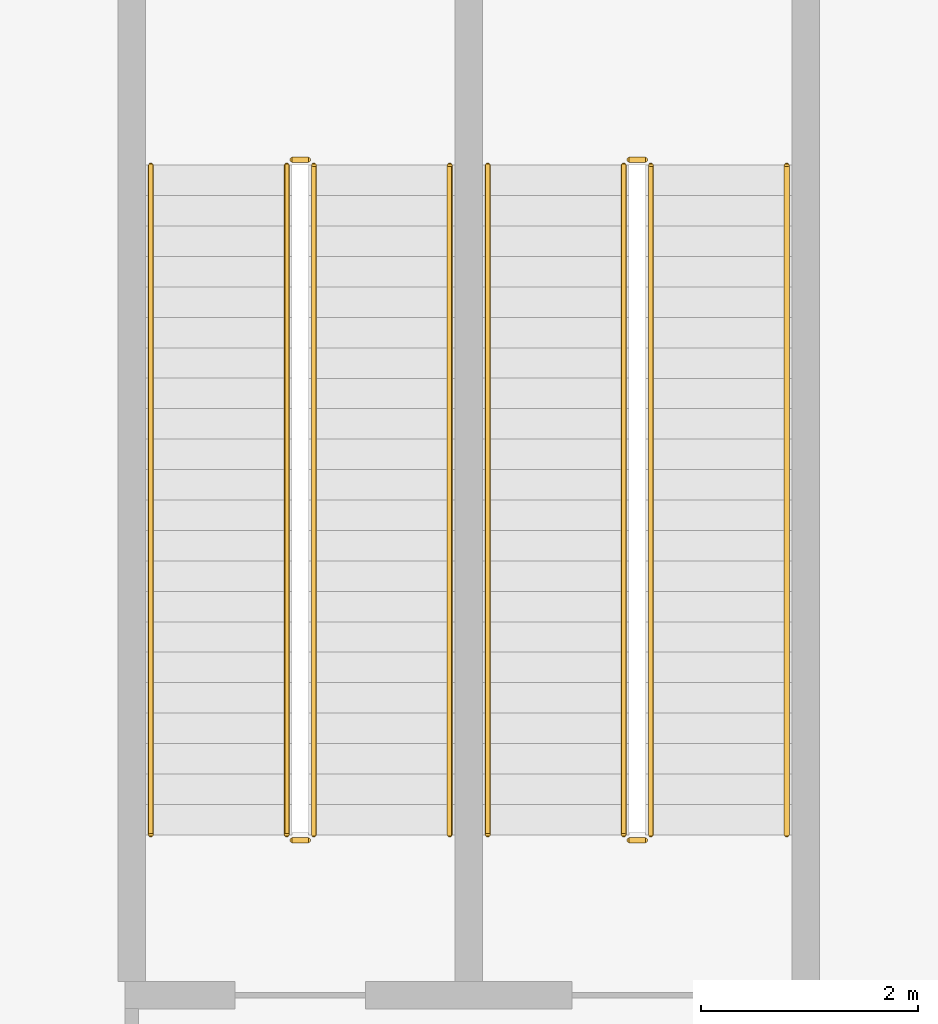
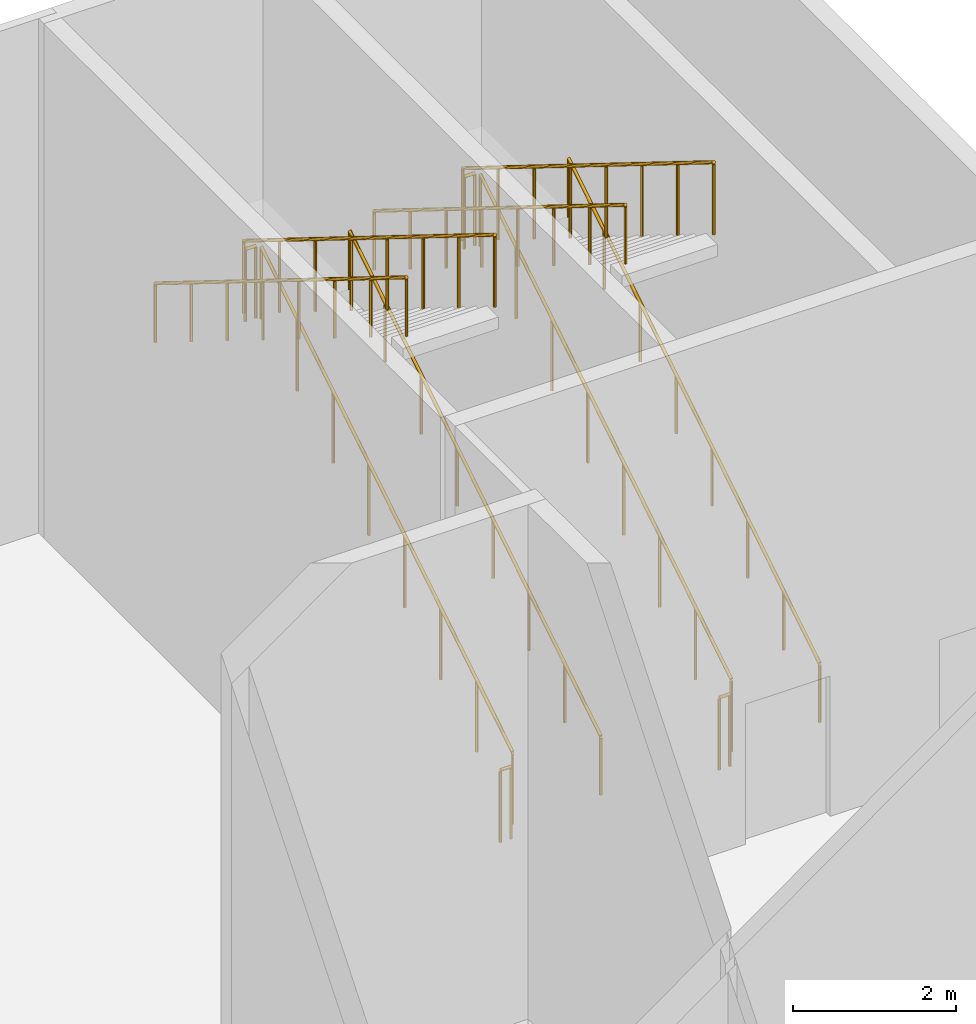
# One storey, part 52 of 52: 12 railings.
"""IFC4 building model written with IfcOpenShell, lengths in metres."""

import ifcopenshell
import ifcopenshell.guid

model = None  # the IFC model being written
_history = None  # IfcOwnerHistory: only IFC2X3 demands one
_inside = {}  # id of a spatial element -> (the spatial element, [elements in it])
_under = {}  # id of a project, library or spatial element -> (it, [spatial elements below it])
_declared = {}  # id of a project -> (the project, [libraries it declares])
_typed = {}  # id of a type object -> (the type object, [elements of that type])
_made_of = {}  # id of a material, layer set ... -> (it, [elements and type objects made of it])


def new_model(schema):
    """Start an empty IFC model of exactly this schema.

    Asked for "IFC4X3", IfcOpenShell would pick the latest addendum, in which some entities
    have other attributes; the version numbers below select the first issue.
    IFC2X3 requires an IfcOwnerHistory on every rooted entity: one is made here for all.
    """
    global model, _history
    if schema == "IFC4X3":
        model = ifcopenshell.file(schema_version=(4, 3, 0, 0))
    else:
        model = ifcopenshell.file(schema=schema)
    _inside.clear()
    _under.clear()
    _declared.clear()
    _typed.clear()
    _made_of.clear()
    _history = None
    if model.schema == "IFC2X3":
        org = make("IfcOrganization", Name="unknown")
        user = make(
            "IfcPersonAndOrganization",
            ThePerson=make("IfcPerson", FamilyName="unknown"),
            TheOrganization=org,
        )
        app = make(
            "IfcApplication",
            ApplicationDeveloper=org,
            Version="unknown",
            ApplicationFullName="unknown",
            ApplicationIdentifier="unknown",
        )
        _history = make(
            "IfcOwnerHistory",
            OwningUser=user,
            OwningApplication=app,
            ChangeAction="ADDED",
            CreationDate=0,
        )
    return model


def make(cls, **values):
    """One entity of the class cls with the attributes given. An attribute that is None is left unset."""
    return model.create_entity(
        cls, **{name: value for name, value in values.items() if value is not None}
    )


def rooted(cls, **values):
    """An entity with a GlobalId (a new one), such as an element, a storey or a relation."""
    return make(cls, GlobalId=ifcopenshell.guid.new(), OwnerHistory=_history, **values)


def si_unit(unit_type, name, prefix=None):
    """IfcSIUnit, for example si_unit("LENGTHUNIT", "METRE", prefix="MILLI")."""
    return make("IfcSIUnit", UnitType=unit_type, Prefix=prefix, Name=name)


def assignment(units):
    """IfcUnitAssignment: the units of a project."""
    return None if units is None else make("IfcUnitAssignment", Units=units)


def point(xyz):
    """IfcCartesianPoint."""
    return None if xyz is None else make("IfcCartesianPoint", Coordinates=xyz)


def direction(xyz):
    """IfcDirection."""
    return None if xyz is None else make("IfcDirection", DirectionRatios=xyz)


def frame(location, z_axis=None, x_axis=None):
    """IfcAxis2Placement3D, a coordinate frame: its origin and axes. An axis left out is left unset."""
    return make(
        "IfcAxis2Placement3D",
        Location=point(location),
        Axis=direction(z_axis),
        RefDirection=direction(x_axis),
    )


def frame_2d(location, x_axis=None):
    """IfcAxis2Placement2D, a coordinate frame in the plane: its origin and x axis."""
    return make(
        "IfcAxis2Placement2D", Location=point(location), RefDirection=direction(x_axis)
    )


def origin():
    """The frame at (0, 0, 0) with its axes left unset."""
    return frame((0.0, 0.0, 0.0))


def origin_2d():
    """The frame at (0, 0) in the plane with its x axis left unset."""
    return frame_2d((0.0, 0.0))


def place(relative_to, where):
    """IfcLocalPlacement: puts the frame where relative to a parent placement (None: the world)."""
    return make(
        "IfcLocalPlacement", PlacementRelTo=relative_to, RelativePlacement=where
    )


def context(
    kind, dimensions, precision=None, world=None, true_north=None, identifier=None
):
    """IfcGeometricRepresentationContext, for example the 3D "Model" context."""
    return make(
        "IfcGeometricRepresentationContext",
        ContextIdentifier=identifier,
        ContextType=kind,
        CoordinateSpaceDimension=dimensions,
        Precision=precision,
        WorldCoordinateSystem=world,
        TrueNorth=true_north,
    )


def subcontext(parent, identifier, kind, view, scale=None):
    """IfcGeometricRepresentationSubContext, for example "Body" below "Model"."""
    return make(
        "IfcGeometricRepresentationSubContext",
        ContextIdentifier=identifier,
        ContextType=kind,
        ParentContext=parent,
        TargetScale=scale,
        TargetView=view,
    )


def project(units=None, contexts=None):
    """IfcProject with its units and contexts."""
    return rooted(
        "IfcProject",
        Name="project",
        RepresentationContexts=contexts,
        UnitsInContext=assignment(units),
    )


def spatial(cls, under=None, at=None, **own):
    """A site, building, storey or space (cls), placed at a placement, below another one or the project."""
    s = rooted(cls, ObjectPlacement=at, **own)
    if under is not None:
        _under.setdefault(under.id(), (under, []))[1].append(s)
    return s


def profile(cls, at=None, kind="AREA", **sizes):
    """A parametric profile (cls). Its sizes go by their IFC names, for example OverallWidth=200.0."""
    return make(cls, ProfileType=kind, Position=at, **sizes)


def circle(**sizes):
    """IfcCircleProfileDef."""
    return profile("IfcCircleProfileDef", **sizes)


def extrude(swept, where, along, depth):
    """IfcExtrudedAreaSolid: the profile swept, set in the frame where, extruded along a direction by depth."""
    return make(
        "IfcExtrudedAreaSolid",
        SweptArea=swept,
        Position=where,
        ExtrudedDirection=direction(along),
        Depth=depth,
    )


def shape(context_of_items, identifier, shape_type, items):
    """IfcShapeRepresentation: the items that make up one representation, for example the "Body"."""
    return make(
        "IfcShapeRepresentation",
        ContextOfItems=context_of_items,
        RepresentationIdentifier=identifier,
        RepresentationType=shape_type,
        Items=items,
    )


def material(Name=None, Category=None):
    """IfcMaterial."""
    return make("IfcMaterial", Name=Name, Category=Category)


def made_of(thing, what):
    """Note that an element or type object is made of a material, layer set ...; save() writes the relation."""
    if what is not None:
        _made_of.setdefault(what.id(), (what, []))[1].append(thing)
    return thing


def type_object(cls, material=None, **own):
    """A type object (cls), such as IfcWallType, which elements share."""
    return made_of(rooted(cls, **own), material)


def element(
    cls,
    number,
    at=None,
    inside=None,
    cuts=None,
    type_object=None,
    material=None,
    context=None,
    identifier="Body",
    shape_type=None,
    held_by="IfcProductDefinitionShape",
    body=None,
    shapes=None,
    **own,
):
    """One element of the class cls, such as IfcWall. Its Tag is "e" and its number.

    at: its placement. inside: the storey or other place that contains it. cuts: it is an
    opening in that element (IfcRelVoidsElement). A single representation is given by context,
    identifier, shape_type and body (its items); several are given by shapes. held_by: the class
    of the entity that holds the representations. save() writes the other relations.
    """
    e = rooted(cls, Tag="e%d" % number, ObjectPlacement=at, **own)
    if body is not None:
        shapes = [shape(context, identifier, shape_type, body)]
    if shapes is not None:
        e.Representation = make(held_by, Representations=shapes)
    if inside is not None:
        _inside.setdefault(inside.id(), (inside, []))[1].append(e)
    if cuts is not None:
        rooted(
            "IfcRelVoidsElement", RelatingBuildingElement=cuts, RelatedOpeningElement=e
        )
    if type_object is not None:
        _typed.setdefault(type_object.id(), (type_object, []))[1].append(e)
    return made_of(e, material)


def aggregate(whole, parts):
    """IfcRelAggregates: a whole, such as a stair, and the parts it consists of."""
    return rooted("IfcRelAggregates", RelatingObject=whole, RelatedObjects=parts)


def save(model, path):
    """Write the relations noted so far, then the file.

    IfcRelAggregates (storeys below a building ...), IfcRelContainedInSpatialStructure (elements
    in a storey), IfcRelDefinesByType, IfcRelAssociatesMaterial and IfcRelDeclares: one each for
    every whole, place, type object, material and project.
    """
    for whole, parts in _under.values():
        aggregate(whole, parts)
    for where, things in _inside.values():
        rooted(
            "IfcRelContainedInSpatialStructure",
            RelatedElements=things,
            RelatingStructure=where,
        )
    for kind, things in _typed.values():
        rooted("IfcRelDefinesByType", RelatedObjects=things, RelatingType=kind)
    for what, things in _made_of.values():
        rooted("IfcRelAssociatesMaterial", RelatedObjects=things, RelatingMaterial=what)
    for by, libraries in _declared.values():
        rooted("IfcRelDeclares", RelatingContext=by, RelatedDefinitions=libraries)
    model.write(path)


model = new_model("IFC4")

# Units and contexts
model_context = context("Model", 3, precision=1e-05, world=origin(), true_north=direction((0.0, 1.0)))
body_context = subcontext(model_context, "Body", "Model", "MODEL_VIEW")
ifc_project = project(units=[si_unit("LENGTHUNIT", "METRE"), si_unit("AREAUNIT", "SQUARE_METRE"), si_unit("VOLUMEUNIT", "CUBIC_METRE"), si_unit("PLANEANGLEUNIT", "RADIAN"), si_unit("MASSUNIT", "GRAM", prefix="KILO")], contexts=[model_context])

# Site, building, storey
site_placement = place(None, origin())
site = spatial("IfcSite", under=ifc_project, at=site_placement, CompositionType="ELEMENT")
building_placement = place(site_placement, origin())
building = spatial("IfcBuilding", under=site, at=building_placement, Name="Candeia Pilgrim Tower and Theatre", CompositionType="ELEMENT")
storey_placement = place(building_placement, frame((0.0, 0.0, 9.0)))
storey = spatial("IfcBuildingStorey", under=building, at=storey_placement, Name="L01", CompositionType="ELEMENT", Elevation=9.0)

# Railings
ifc_material = material(Name="Steel S355", Category="steel")
railing_type_1 = type_object("IfcRailingType", Name="Guard 1100 steel balustrade", PredefinedType="GUARDRAIL", material=ifc_material)
railing_1_placement = place(storey_placement, frame((236.47509765625, 107.77490234375, 0.173828125)))
element("IfcRailing", 1, at=railing_1_placement, inside=storey, type_object=railing_type_1, Name="L01 TS3 stair guard 1", PredefinedType="GUARDRAIL", context=body_context, shape_type="SweptSolid", body=[
    extrude(circle(Radius=0.02392578125, at=origin_2d()), frame((0.0, 0.0, 1.076171875), z_axis=(0.0, 0.849477832307, 0.527624309921), x_axis=(-1.0, 0.0, 0.0)), (0.0, 0.0, 1.0), 7.251708984375),
    extrude(circle(Radius=0.02099609375, at=origin_2d()), origin(), (0.0, 0.0, 1.0), 1.052001953125),
    extrude(circle(Radius=0.02099609375, at=origin_2d()), frame((0.0, 0.880126953125, 0.546630859375)), (0.0, 0.0, 1.0), 1.052001953125),
    extrude(circle(Radius=0.02099609375, at=origin_2d()), frame((0.0, 1.760009765625, 1.09326171875)), (0.0, 0.0, 1.0), 1.052001953125),
    extrude(circle(Radius=0.02099609375, at=origin_2d()), frame((0.0, 2.64013671875, 1.639892578125)), (0.0, 0.0, 1.0), 1.052001953125),
    extrude(circle(Radius=0.02099609375, at=origin_2d()), frame((0.0, 3.52001953125, 2.186279296875)), (0.0, 0.0, 1.0), 1.052001953125),
    extrude(circle(Radius=0.02099609375, at=origin_2d()), frame((0.0, 4.400146484375, 2.73291015625)), (0.0, 0.0, 1.0), 1.052001953125),
    extrude(circle(Radius=0.02099609375, at=origin_2d()), frame((0.0, 5.280029296875, 3.279541015625)), (0.0, 0.0, 1.0), 1.052001953125),
    extrude(circle(Radius=0.02099609375, at=origin_2d()), frame((0.0, 6.16015625, 3.826171875)), (0.0, 0.0, 1.0), 1.052001953125),
])
railing_2_placement = place(storey_placement, frame((236.425048828125, 113.985107421875, 4.0)))
element("IfcRailing", 2, at=railing_2_placement, inside=storey, type_object=railing_type_1, Name="L01 TS3 stair guard 2", PredefinedType="GUARDRAIL", context=body_context, shape_type="SweptSolid", body=[
    extrude(circle(Radius=0.02392578125, at=origin_2d()), frame((0.0, 0.0, 1.076171875), z_axis=(-1.0, 0.0, 0.0), x_axis=(0.0, -1.0, 0.0)), (0.0, 0.0, 1.0), 0.150146484375),
    extrude(circle(Radius=0.02099609375, at=origin_2d()), origin(), (0.0, 0.0, 1.0), 1.052001953125),
    extrude(circle(Radius=0.02099609375, at=origin_2d()), frame((-0.150146484375, 0.0, 0.0)), (0.0, 0.0, 1.0), 1.052001953125),
])
railing_3_placement = place(storey_placement, frame((236.22509765625, 113.93505859375, 4.173828125)))
element("IfcRailing", 3, at=railing_3_placement, inside=storey, type_object=railing_type_1, Name="L01 TS3 stair guard 3", PredefinedType="GUARDRAIL", context=body_context, shape_type="SweptSolid", body=[
    extrude(circle(Radius=0.02392578125, at=origin_2d()), frame((0.0, 0.0, 1.076171875), z_axis=(0.0, -0.849477832307, 0.527624309921), x_axis=(1.0, 0.0, 0.0)), (0.0, 0.0, 1.0), 7.251708984375),
    extrude(circle(Radius=0.02099609375, at=origin_2d()), origin(), (0.0, 0.0, 1.0), 1.052001953125),
    extrude(circle(Radius=0.02099609375, at=origin_2d()), frame((0.0, -0.880126953125, 0.546630859375)), (0.0, 0.0, 1.0), 1.052001953125),
    extrude(circle(Radius=0.02099609375, at=origin_2d()), frame((0.0, -1.760009765625, 1.09326171875)), (0.0, 0.0, 1.0), 1.052001953125),
    extrude(circle(Radius=0.02099609375, at=origin_2d()), frame((0.0, -2.64013671875, 1.639892578125)), (0.0, 0.0, 1.0), 1.052001953125),
    extrude(circle(Radius=0.02099609375, at=origin_2d()), frame((0.0, -3.52001953125, 2.186279296875)), (0.0, 0.0, 1.0), 1.052001953125),
    extrude(circle(Radius=0.02099609375, at=origin_2d()), frame((0.0, -4.400146484375, 2.73291015625)), (0.0, 0.0, 1.0), 1.052001953125),
    extrude(circle(Radius=0.02099609375, at=origin_2d()), frame((0.0, -5.280029296875, 3.279541015625)), (0.0, 0.0, 1.0), 1.052001953125),
    extrude(circle(Radius=0.02099609375, at=origin_2d()), frame((0.0, -6.16015625, 3.826171875)), (0.0, 0.0, 1.0), 1.052001953125),
])
railing_4_placement = place(storey_placement, frame((236.425048828125, 107.72509765625, 0.0)))
element("IfcRailing", 4, at=railing_4_placement, inside=storey, type_object=railing_type_1, Name="L01 TS3 stair guard 4", PredefinedType="GUARDRAIL", context=body_context, shape_type="SweptSolid", body=[
    extrude(circle(Radius=0.02392578125, at=origin_2d()), frame((0.0, 0.0, 1.076171875), z_axis=(-1.0, 0.0, 0.0), x_axis=(0.0, -1.0, 0.0)), (0.0, 0.0, 1.0), 0.150146484375),
    extrude(circle(Radius=0.02099609375, at=origin_2d()), origin(), (0.0, 0.0, 1.0), 1.052001953125),
    extrude(circle(Radius=0.02099609375, at=origin_2d()), frame((-0.150146484375, 0.0, 0.0)), (0.0, 0.0, 1.0), 1.052001953125),
])
railing_5_placement = place(storey_placement, frame((239.574951171875, 107.77490234375, 0.173828125)))
element("IfcRailing", 5, at=railing_5_placement, inside=storey, type_object=railing_type_1, Name="L01 TS4 stair guard 1", PredefinedType="GUARDRAIL", context=body_context, shape_type="SweptSolid", body=[
    extrude(circle(Radius=0.02392578125, at=origin_2d()), frame((0.0, 0.0, 1.076171875), z_axis=(0.0, 0.849477832307, 0.527624309921), x_axis=(-1.0, 0.0, 0.0)), (0.0, 0.0, 1.0), 7.251708984375),
    extrude(circle(Radius=0.02099609375, at=origin_2d()), origin(), (0.0, 0.0, 1.0), 1.052001953125),
    extrude(circle(Radius=0.02099609375, at=origin_2d()), frame((0.0, 0.880126953125, 0.546630859375)), (0.0, 0.0, 1.0), 1.052001953125),
    extrude(circle(Radius=0.02099609375, at=origin_2d()), frame((0.0, 1.760009765625, 1.09326171875)), (0.0, 0.0, 1.0), 1.052001953125),
    extrude(circle(Radius=0.02099609375, at=origin_2d()), frame((0.0, 2.64013671875, 1.639892578125)), (0.0, 0.0, 1.0), 1.052001953125),
    extrude(circle(Radius=0.02099609375, at=origin_2d()), frame((0.0, 3.52001953125, 2.186279296875)), (0.0, 0.0, 1.0), 1.052001953125),
    extrude(circle(Radius=0.02099609375, at=origin_2d()), frame((0.0, 4.400146484375, 2.73291015625)), (0.0, 0.0, 1.0), 1.052001953125),
    extrude(circle(Radius=0.02099609375, at=origin_2d()), frame((0.0, 5.280029296875, 3.279541015625)), (0.0, 0.0, 1.0), 1.052001953125),
    extrude(circle(Radius=0.02099609375, at=origin_2d()), frame((0.0, 6.16015625, 3.826171875)), (0.0, 0.0, 1.0), 1.052001953125),
])
railing_6_placement = place(storey_placement, frame((239.52490234375, 113.985107421875, 4.0)))
element("IfcRailing", 6, at=railing_6_placement, inside=storey, type_object=railing_type_1, Name="L01 TS4 stair guard 2", PredefinedType="GUARDRAIL", context=body_context, shape_type="SweptSolid", body=[
    extrude(circle(Radius=0.02392578125, at=origin_2d()), frame((0.0, 0.0, 1.076171875), z_axis=(-1.0, 0.0, 0.0), x_axis=(0.0, -1.0, 0.0)), (0.0, 0.0, 1.0), 0.14990234375),
    extrude(circle(Radius=0.02099609375, at=origin_2d()), origin(), (0.0, 0.0, 1.0), 1.052001953125),
    extrude(circle(Radius=0.02099609375, at=origin_2d()), frame((-0.14990234375, 0.0, 0.0)), (0.0, 0.0, 1.0), 1.052001953125),
])
railing_7_placement = place(storey_placement, frame((239.324951171875, 113.93505859375, 4.173828125)))
element("IfcRailing", 7, at=railing_7_placement, inside=storey, type_object=railing_type_1, Name="L01 TS4 stair guard 3", PredefinedType="GUARDRAIL", context=body_context, shape_type="SweptSolid", body=[
    extrude(circle(Radius=0.02392578125, at=origin_2d()), frame((0.0, 0.0, 1.076171875), z_axis=(0.0, -0.849477832307, 0.527624309921), x_axis=(1.0, 0.0, 0.0)), (0.0, 0.0, 1.0), 7.251708984375),
    extrude(circle(Radius=0.02099609375, at=origin_2d()), origin(), (0.0, 0.0, 1.0), 1.052001953125),
    extrude(circle(Radius=0.02099609375, at=origin_2d()), frame((0.0, -0.880126953125, 0.546630859375)), (0.0, 0.0, 1.0), 1.052001953125),
    extrude(circle(Radius=0.02099609375, at=origin_2d()), frame((0.0, -1.760009765625, 1.09326171875)), (0.0, 0.0, 1.0), 1.052001953125),
    extrude(circle(Radius=0.02099609375, at=origin_2d()), frame((0.0, -2.64013671875, 1.639892578125)), (0.0, 0.0, 1.0), 1.052001953125),
    extrude(circle(Radius=0.02099609375, at=origin_2d()), frame((0.0, -3.52001953125, 2.186279296875)), (0.0, 0.0, 1.0), 1.052001953125),
    extrude(circle(Radius=0.02099609375, at=origin_2d()), frame((0.0, -4.400146484375, 2.73291015625)), (0.0, 0.0, 1.0), 1.052001953125),
    extrude(circle(Radius=0.02099609375, at=origin_2d()), frame((0.0, -5.280029296875, 3.279541015625)), (0.0, 0.0, 1.0), 1.052001953125),
    extrude(circle(Radius=0.02099609375, at=origin_2d()), frame((0.0, -6.16015625, 3.826171875)), (0.0, 0.0, 1.0), 1.052001953125),
])
railing_8_placement = place(storey_placement, frame((239.52490234375, 107.72509765625, 0.0)))
element("IfcRailing", 8, at=railing_8_placement, inside=storey, type_object=railing_type_1, Name="L01 TS4 stair guard 4", PredefinedType="GUARDRAIL", context=body_context, shape_type="SweptSolid", body=[
    extrude(circle(Radius=0.02392578125, at=origin_2d()), frame((0.0, 0.0, 1.076171875), z_axis=(-1.0, 0.0, 0.0), x_axis=(0.0, -1.0, 0.0)), (0.0, 0.0, 1.0), 0.14990234375),
    extrude(circle(Radius=0.02099609375, at=origin_2d()), origin(), (0.0, 0.0, 1.0), 1.052001953125),
    extrude(circle(Radius=0.02099609375, at=origin_2d()), frame((-0.14990234375, 0.0, 0.0)), (0.0, 0.0, 1.0), 1.052001953125),
])
railing_type_2 = type_object("IfcRailingType", Name="Handrail 900 steel", PredefinedType="HANDRAIL", material=ifc_material)
railing_9_placement = place(storey_placement, frame((237.72509765625, 107.77490234375, 0.173828125)))
element("IfcRailing", 9, at=railing_9_placement, inside=storey, type_object=railing_type_2, Name="L01 TS3 stair handrail 1", PredefinedType="HANDRAIL", context=body_context, shape_type="SweptSolid", body=[
    extrude(circle(Radius=0.02392578125, at=origin_2d()), frame((0.0, 0.0, 0.8759765625), z_axis=(0.0, 0.849477832307, 0.527624309921), x_axis=(-1.0, 0.0, 0.0)), (0.0, 0.0, 1.0), 7.251708984375),
    extrude(circle(Radius=0.02099609375, at=origin_2d()), origin(), (0.0, 0.0, 1.0), 0.851806640625),
    extrude(circle(Radius=0.02099609375, at=origin_2d()), frame((0.0, 0.880126953125, 0.546630859375)), (0.0, 0.0, 1.0), 0.851806640625),
    extrude(circle(Radius=0.02099609375, at=origin_2d()), frame((0.0, 1.760009765625, 1.09326171875)), (0.0, 0.0, 1.0), 0.851806640625),
    extrude(circle(Radius=0.02099609375, at=origin_2d()), frame((0.0, 2.64013671875, 1.639892578125)), (0.0, 0.0, 1.0), 0.851806640625),
    extrude(circle(Radius=0.02099609375, at=origin_2d()), frame((0.0, 3.52001953125, 2.186279296875)), (0.0, 0.0, 1.0), 0.851806640625),
    extrude(circle(Radius=0.02099609375, at=origin_2d()), frame((0.0, 4.400146484375, 2.73291015625)), (0.0, 0.0, 1.0), 0.851806640625),
    extrude(circle(Radius=0.02099609375, at=origin_2d()), frame((0.0, 5.280029296875, 3.279541015625)), (0.0, 0.0, 1.0), 0.851806640625),
    extrude(circle(Radius=0.02099609375, at=origin_2d()), frame((0.0, 6.16015625, 3.826171875)), (0.0, 0.0, 1.0), 0.851806640625),
])
railing_10_placement = place(storey_placement, frame((234.97509765625, 113.93505859375, 4.173828125)))
element("IfcRailing", 10, at=railing_10_placement, inside=storey, type_object=railing_type_2, Name="L01 TS3 stair handrail 2", PredefinedType="HANDRAIL", context=body_context, shape_type="SweptSolid", body=[
    extrude(circle(Radius=0.02392578125, at=origin_2d()), frame((0.0, 0.0, 0.8759765625), z_axis=(0.0, -0.849477832307, 0.527624309921), x_axis=(1.0, 0.0, 0.0)), (0.0, 0.0, 1.0), 7.251708984375),
    extrude(circle(Radius=0.02099609375, at=origin_2d()), origin(), (0.0, 0.0, 1.0), 0.851806640625),
    extrude(circle(Radius=0.02099609375, at=origin_2d()), frame((0.0, -0.880126953125, 0.546630859375)), (0.0, 0.0, 1.0), 0.851806640625),
    extrude(circle(Radius=0.02099609375, at=origin_2d()), frame((0.0, -1.760009765625, 1.09326171875)), (0.0, 0.0, 1.0), 0.851806640625),
    extrude(circle(Radius=0.02099609375, at=origin_2d()), frame((0.0, -2.64013671875, 1.639892578125)), (0.0, 0.0, 1.0), 0.851806640625),
    extrude(circle(Radius=0.02099609375, at=origin_2d()), frame((0.0, -3.52001953125, 2.186279296875)), (0.0, 0.0, 1.0), 0.851806640625),
    extrude(circle(Radius=0.02099609375, at=origin_2d()), frame((0.0, -4.400146484375, 2.73291015625)), (0.0, 0.0, 1.0), 0.851806640625),
    extrude(circle(Radius=0.02099609375, at=origin_2d()), frame((0.0, -5.280029296875, 3.279541015625)), (0.0, 0.0, 1.0), 0.851806640625),
    extrude(circle(Radius=0.02099609375, at=origin_2d()), frame((0.0, -6.16015625, 3.826171875)), (0.0, 0.0, 1.0), 0.851806640625),
])
railing_11_placement = place(storey_placement, frame((240.824951171875, 107.77490234375, 0.173828125)))
element("IfcRailing", 11, at=railing_11_placement, inside=storey, type_object=railing_type_2, Name="L01 TS4 stair handrail 1", PredefinedType="HANDRAIL", context=body_context, shape_type="SweptSolid", body=[
    extrude(circle(Radius=0.02392578125, at=origin_2d()), frame((0.0, 0.0, 0.8759765625), z_axis=(0.0, 0.849477832307, 0.527624309921), x_axis=(-1.0, 0.0, 0.0)), (0.0, 0.0, 1.0), 7.251708984375),
    extrude(circle(Radius=0.02099609375, at=origin_2d()), origin(), (0.0, 0.0, 1.0), 0.851806640625),
    extrude(circle(Radius=0.02099609375, at=origin_2d()), frame((0.0, 0.880126953125, 0.546630859375)), (0.0, 0.0, 1.0), 0.851806640625),
    extrude(circle(Radius=0.02099609375, at=origin_2d()), frame((0.0, 1.760009765625, 1.09326171875)), (0.0, 0.0, 1.0), 0.851806640625),
    extrude(circle(Radius=0.02099609375, at=origin_2d()), frame((0.0, 2.64013671875, 1.639892578125)), (0.0, 0.0, 1.0), 0.851806640625),
    extrude(circle(Radius=0.02099609375, at=origin_2d()), frame((0.0, 3.52001953125, 2.186279296875)), (0.0, 0.0, 1.0), 0.851806640625),
    extrude(circle(Radius=0.02099609375, at=origin_2d()), frame((0.0, 4.400146484375, 2.73291015625)), (0.0, 0.0, 1.0), 0.851806640625),
    extrude(circle(Radius=0.02099609375, at=origin_2d()), frame((0.0, 5.280029296875, 3.279541015625)), (0.0, 0.0, 1.0), 0.851806640625),
    extrude(circle(Radius=0.02099609375, at=origin_2d()), frame((0.0, 6.16015625, 3.826171875)), (0.0, 0.0, 1.0), 0.851806640625),
])
railing_12_placement = place(storey_placement, frame((238.074951171875, 113.93505859375, 4.173828125)))
element("IfcRailing", 12, at=railing_12_placement, inside=storey, type_object=railing_type_2, Name="L01 TS4 stair handrail 2", PredefinedType="HANDRAIL", context=body_context, shape_type="SweptSolid", body=[
    extrude(circle(Radius=0.02392578125, at=origin_2d()), frame((0.0, 0.0, 0.8759765625), z_axis=(0.0, -0.849477832307, 0.527624309921), x_axis=(1.0, 0.0, 0.0)), (0.0, 0.0, 1.0), 7.251708984375),
    extrude(circle(Radius=0.02099609375, at=origin_2d()), origin(), (0.0, 0.0, 1.0), 0.851806640625),
    extrude(circle(Radius=0.02099609375, at=origin_2d()), frame((0.0, -0.880126953125, 0.546630859375)), (0.0, 0.0, 1.0), 0.851806640625),
    extrude(circle(Radius=0.02099609375, at=origin_2d()), frame((0.0, -1.760009765625, 1.09326171875)), (0.0, 0.0, 1.0), 0.851806640625),
    extrude(circle(Radius=0.02099609375, at=origin_2d()), frame((0.0, -2.64013671875, 1.639892578125)), (0.0, 0.0, 1.0), 0.851806640625),
    extrude(circle(Radius=0.02099609375, at=origin_2d()), frame((0.0, -3.52001953125, 2.186279296875)), (0.0, 0.0, 1.0), 0.851806640625),
    extrude(circle(Radius=0.02099609375, at=origin_2d()), frame((0.0, -4.400146484375, 2.73291015625)), (0.0, 0.0, 1.0), 0.851806640625),
    extrude(circle(Radius=0.02099609375, at=origin_2d()), frame((0.0, -5.280029296875, 3.279541015625)), (0.0, 0.0, 1.0), 0.851806640625),
    extrude(circle(Radius=0.02099609375, at=origin_2d()), frame((0.0, -6.16015625, 3.826171875)), (0.0, 0.0, 1.0), 0.851806640625),
])

save(model, "model.ifc")
